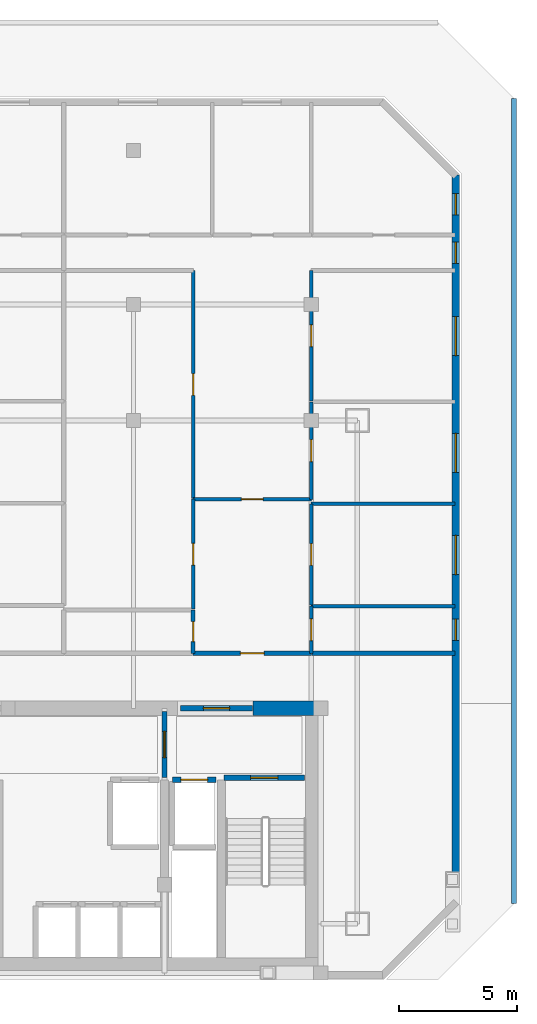
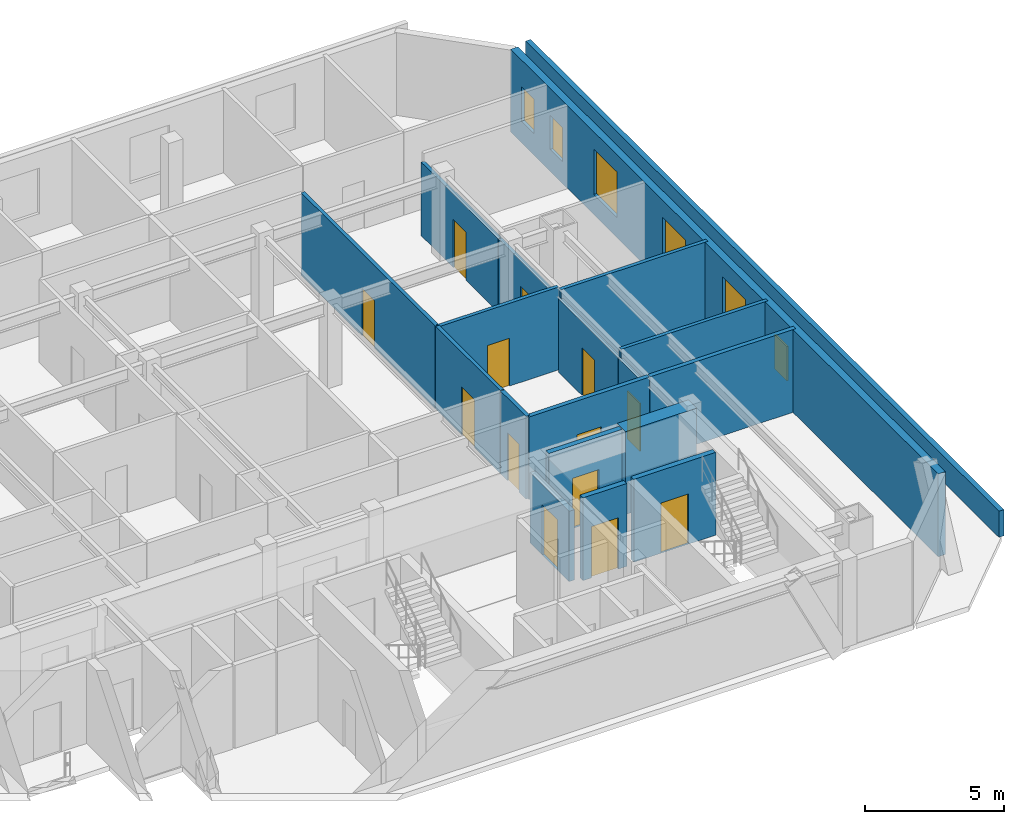
# One storey, part 5 of 7: 19 walls, 13 doors, 6 windows, 19 openings.
"""IFC4 building model written with IfcOpenShell, lengths in metres."""

import ifcopenshell
import ifcopenshell.guid

model = None  # the IFC model being written
_history = None  # IfcOwnerHistory: only IFC2X3 demands one
_inside = {}  # id of a spatial element -> (the spatial element, [elements in it])
_under = {}  # id of a project, library or spatial element -> (it, [spatial elements below it])
_declared = {}  # id of a project -> (the project, [libraries it declares])
_typed = {}  # id of a type object -> (the type object, [elements of that type])
_made_of = {}  # id of a material, layer set ... -> (it, [elements and type objects made of it])


def new_model(schema):
    """Start an empty IFC model of exactly this schema.

    Asked for "IFC4X3", IfcOpenShell would pick the latest addendum, in which some entities
    have other attributes; the version numbers below select the first issue.
    IFC2X3 requires an IfcOwnerHistory on every rooted entity: one is made here for all.
    """
    global model, _history
    if schema == "IFC4X3":
        model = ifcopenshell.file(schema_version=(4, 3, 0, 0))
    else:
        model = ifcopenshell.file(schema=schema)
    _inside.clear()
    _under.clear()
    _declared.clear()
    _typed.clear()
    _made_of.clear()
    _history = None
    if model.schema == "IFC2X3":
        org = make("IfcOrganization", Name="unknown")
        user = make(
            "IfcPersonAndOrganization",
            ThePerson=make("IfcPerson", FamilyName="unknown"),
            TheOrganization=org,
        )
        app = make(
            "IfcApplication",
            ApplicationDeveloper=org,
            Version="unknown",
            ApplicationFullName="unknown",
            ApplicationIdentifier="unknown",
        )
        _history = make(
            "IfcOwnerHistory",
            OwningUser=user,
            OwningApplication=app,
            ChangeAction="ADDED",
            CreationDate=0,
        )
    return model


def make(cls, **values):
    """One entity of the class cls with the attributes given. An attribute that is None is left unset."""
    return model.create_entity(
        cls, **{name: value for name, value in values.items() if value is not None}
    )


def rooted(cls, **values):
    """An entity with a GlobalId (a new one), such as an element, a storey or a relation."""
    return make(cls, GlobalId=ifcopenshell.guid.new(), OwnerHistory=_history, **values)


def si_unit(unit_type, name, prefix=None):
    """IfcSIUnit, for example si_unit("LENGTHUNIT", "METRE", prefix="MILLI")."""
    return make("IfcSIUnit", UnitType=unit_type, Prefix=prefix, Name=name)


def assignment(units):
    """IfcUnitAssignment: the units of a project."""
    return None if units is None else make("IfcUnitAssignment", Units=units)


def point(xyz):
    """IfcCartesianPoint."""
    return None if xyz is None else make("IfcCartesianPoint", Coordinates=xyz)


def direction(xyz):
    """IfcDirection."""
    return None if xyz is None else make("IfcDirection", DirectionRatios=xyz)


def frame(location, z_axis=None, x_axis=None):
    """IfcAxis2Placement3D, a coordinate frame: its origin and axes. An axis left out is left unset."""
    return make(
        "IfcAxis2Placement3D",
        Location=point(location),
        Axis=direction(z_axis),
        RefDirection=direction(x_axis),
    )


def frame_2d(location, x_axis=None):
    """IfcAxis2Placement2D, a coordinate frame in the plane: its origin and x axis."""
    return make(
        "IfcAxis2Placement2D", Location=point(location), RefDirection=direction(x_axis)
    )


def origin():
    """The frame at (0, 0, 0) with its axes left unset."""
    return frame((0.0, 0.0, 0.0))


def place(relative_to, where):
    """IfcLocalPlacement: puts the frame where relative to a parent placement (None: the world)."""
    return make(
        "IfcLocalPlacement", PlacementRelTo=relative_to, RelativePlacement=where
    )


def context(
    kind, dimensions, precision=None, world=None, true_north=None, identifier=None
):
    """IfcGeometricRepresentationContext, for example the 3D "Model" context."""
    return make(
        "IfcGeometricRepresentationContext",
        ContextIdentifier=identifier,
        ContextType=kind,
        CoordinateSpaceDimension=dimensions,
        Precision=precision,
        WorldCoordinateSystem=world,
        TrueNorth=true_north,
    )


def subcontext(parent, identifier, kind, view, scale=None):
    """IfcGeometricRepresentationSubContext, for example "Body" below "Model"."""
    return make(
        "IfcGeometricRepresentationSubContext",
        ContextIdentifier=identifier,
        ContextType=kind,
        ParentContext=parent,
        TargetScale=scale,
        TargetView=view,
    )


def project(units=None, contexts=None):
    """IfcProject with its units and contexts."""
    return rooted(
        "IfcProject",
        Name="project",
        RepresentationContexts=contexts,
        UnitsInContext=assignment(units),
    )


def spatial(cls, under=None, at=None, **own):
    """A site, building, storey or space (cls), placed at a placement, below another one or the project."""
    s = rooted(cls, ObjectPlacement=at, **own)
    if under is not None:
        _under.setdefault(under.id(), (under, []))[1].append(s)
    return s


def profile(cls, at=None, kind="AREA", **sizes):
    """A parametric profile (cls). Its sizes go by their IFC names, for example OverallWidth=200.0."""
    return make(cls, ProfileType=kind, Position=at, **sizes)


def rectangle(**sizes):
    """IfcRectangleProfileDef."""
    return profile("IfcRectangleProfileDef", **sizes)


def extrude(swept, where, along, depth):
    """IfcExtrudedAreaSolid: the profile swept, set in the frame where, extruded along a direction by depth."""
    return make(
        "IfcExtrudedAreaSolid",
        SweptArea=swept,
        Position=where,
        ExtrudedDirection=direction(along),
        Depth=depth,
    )


def shape(context_of_items, identifier, shape_type, items):
    """IfcShapeRepresentation: the items that make up one representation, for example the "Body"."""
    return make(
        "IfcShapeRepresentation",
        ContextOfItems=context_of_items,
        RepresentationIdentifier=identifier,
        RepresentationType=shape_type,
        Items=items,
    )


def material(Name=None, Category=None):
    """IfcMaterial."""
    return make("IfcMaterial", Name=Name, Category=Category)


def layer(
    of_material, thickness, ventilated=None, Name=None, Category=None, Priority=None
):
    """IfcMaterialLayer: one layer of a wall or slab, of a material (None: an air gap)."""
    return make(
        "IfcMaterialLayer",
        Material=of_material,
        LayerThickness=thickness,
        IsVentilated=ventilated,
        Name=Name,
        Category=Category,
        Priority=Priority,
    )


def layer_set(layers, Name=None):
    """IfcMaterialLayerSet."""
    return make("IfcMaterialLayerSet", MaterialLayers=layers, LayerSetName=Name)


def made_of(thing, what):
    """Note that an element or type object is made of a material, layer set ...; save() writes the relation."""
    if what is not None:
        _made_of.setdefault(what.id(), (what, []))[1].append(thing)
    return thing


def type_object(cls, material=None, **own):
    """A type object (cls), such as IfcWallType, which elements share."""
    return made_of(rooted(cls, **own), material)


def element(
    cls,
    number,
    at=None,
    inside=None,
    cuts=None,
    type_object=None,
    material=None,
    context=None,
    identifier="Body",
    shape_type=None,
    held_by="IfcProductDefinitionShape",
    body=None,
    shapes=None,
    **own,
):
    """One element of the class cls, such as IfcWall. Its Tag is "e" and its number.

    at: its placement. inside: the storey or other place that contains it. cuts: it is an
    opening in that element (IfcRelVoidsElement). A single representation is given by context,
    identifier, shape_type and body (its items); several are given by shapes. held_by: the class
    of the entity that holds the representations. save() writes the other relations.
    """
    e = rooted(cls, Tag="e%d" % number, ObjectPlacement=at, **own)
    if body is not None:
        shapes = [shape(context, identifier, shape_type, body)]
    if shapes is not None:
        e.Representation = make(held_by, Representations=shapes)
    if inside is not None:
        _inside.setdefault(inside.id(), (inside, []))[1].append(e)
    if cuts is not None:
        rooted(
            "IfcRelVoidsElement", RelatingBuildingElement=cuts, RelatedOpeningElement=e
        )
    if type_object is not None:
        _typed.setdefault(type_object.id(), (type_object, []))[1].append(e)
    return made_of(e, material)


def fill(opening, filler):
    """IfcRelFillsElement: the door or window that sits in an opening."""
    return rooted(
        "IfcRelFillsElement",
        RelatingOpeningElement=opening,
        RelatedBuildingElement=filler,
    )


def aggregate(whole, parts):
    """IfcRelAggregates: a whole, such as a stair, and the parts it consists of."""
    return rooted("IfcRelAggregates", RelatingObject=whole, RelatedObjects=parts)


def save(model, path):
    """Write the relations noted so far, then the file.

    IfcRelAggregates (storeys below a building ...), IfcRelContainedInSpatialStructure (elements
    in a storey), IfcRelDefinesByType, IfcRelAssociatesMaterial and IfcRelDeclares: one each for
    every whole, place, type object, material and project.
    """
    for whole, parts in _under.values():
        aggregate(whole, parts)
    for where, things in _inside.values():
        rooted(
            "IfcRelContainedInSpatialStructure",
            RelatedElements=things,
            RelatingStructure=where,
        )
    for kind, things in _typed.values():
        rooted("IfcRelDefinesByType", RelatedObjects=things, RelatingType=kind)
    for what, things in _made_of.values():
        rooted("IfcRelAssociatesMaterial", RelatedObjects=things, RelatingMaterial=what)
    for by, libraries in _declared.values():
        rooted("IfcRelDeclares", RelatingContext=by, RelatedDefinitions=libraries)
    model.write(path)


model = new_model("IFC4")

# Units and contexts
model_context = context("Model", 3, precision=1e-05, world=origin(), true_north=direction((0.0, 1.0)))
body_context = subcontext(model_context, "Body", "Model", "MODEL_VIEW")
ifc_project = project(units=[si_unit("LENGTHUNIT", "METRE"), si_unit("AREAUNIT", "SQUARE_METRE"), si_unit("VOLUMEUNIT", "CUBIC_METRE"), si_unit("PLANEANGLEUNIT", "RADIAN"), si_unit("MASSUNIT", "GRAM", prefix="KILO")], contexts=[model_context])

# Site, building, storey
site_placement = place(None, origin())
site = spatial("IfcSite", under=ifc_project, at=site_placement, CompositionType="ELEMENT")
building_placement = place(site_placement, origin())
building = spatial("IfcBuilding", under=site, at=building_placement, Name="Ventersveld Concourse Tower", CompositionType="ELEMENT")
storey_placement = place(building_placement, frame((0.0, 0.0, 219.550048828125)))
storey = spatial("IfcBuildingStorey", under=building, at=storey_placement, Name="L54", CompositionType="ELEMENT", Elevation=219.550048828125)

# Wall
ifc_material_1 = material(Name="Concrete C50/60", Category="concrete")
ifc_layer_1 = layer(ifc_material_1, 0.60009765625)
ifc_layer_set_1 = layer_set([ifc_layer_1], Name="Concrete C50/60")
wall_type_1 = type_object("IfcWallType", Name="WL-CORE-600", PredefinedType="SHEAR", material=ifc_layer_set_1)
wall_1_placement = place(storey_placement, frame((41.300048828125, 11.449951171875, 0.0), z_axis=(0.0, 0.0, 1.0), x_axis=(1.0, 0.0, 0.0)))
element("IfcWall", 1, at=wall_1_placement, inside=storey, type_object=wall_type_1, Name="L54 Rear Core North Shear Wall NE", PredefinedType="SHEAR", context=body_context, shape_type="SweptSolid", body=[
    extrude(rectangle(XDim=2.949951171875, YDim=0.60009765625, at=frame_2d((1.47509765625, 0.0))), origin(), (0.0, 0.0, 1.0), 3.6298828125),
])

# Wall, opening, door
ifc_material_2 = material(Name="Fire-rated autoclaved aerated masonry blockwork", Category="masonry")
ifc_layer_2 = layer(ifc_material_2, 0.179931640625)
ifc_layer_set_2 = layer_set([ifc_layer_2], Name="Fire-rated autoclaved aerated masonry blockwork")
wall_type_2 = type_object("IfcWallType", Name="WL-CORR-180", PredefinedType="PARTITIONING", material=ifc_layer_set_2)
wall_2_placement = place(storey_placement, frame((38.760009765625, 13.77001953125, 0.0), z_axis=(0.0, 0.0, 1.0), x_axis=(1.0, 0.0, 0.0)))
wall_2 = element("IfcWall", 2, at=wall_2_placement, inside=storey, type_object=wall_type_2, Name="L54 Interior Partition SP-L54-COR-SP-L54-54N2-FOY", PredefinedType="PARTITIONING", context=body_context, shape_type="SweptSolid", body=[
    extrude(rectangle(XDim=4.989990234375, YDim=0.179931640625, at=frame_2d((2.4951171875, 0.0))), origin(), (0.0, 0.0, 1.0), 3.6298828125),
])
opening_1_placement = place(wall_2_placement, frame((1.9951171875, 0.0, 0.0)))
opening_1 = element("IfcOpeningElement", 3, at=opening_1_placement, cuts=wall_2, Name="Opening FD3", PredefinedType="OPENING", context=body_context, shape_type="SweptSolid", body=[
    extrude(rectangle(XDim=1.0, YDim=2.14990234375, at=frame_2d((0.5, 1.074951171875))), frame((0.0, 0.10009765625, 0.0), z_axis=(0.0, -1.0, 0.0), x_axis=(1.0, 0.0, 0.0)), (0.0, 0.0, 1.0), 0.199951171875),
])
ifc_material_3 = material(Name="Solid-core hardwood veneer timber", Category="wood")
door_type_1 = type_object("IfcDoorType", Name="DR-FLAT-100", OperationType="NOTDEFINED", PredefinedType="DOOR", material=ifc_material_3)
door_1_placement = place(opening_1_placement, origin())
door_1 = element("IfcDoor", 4, at=door_1_placement, inside=storey, type_object=door_type_1, Name="L54 Interior Door SP-L54-COR to SP-L54-54N2-FOY (FD-L54-2625)", OperationType="SINGLE_SWING_LEFT", OverallHeight=2.14990234375, OverallWidth=1.0, PredefinedType="DOOR", context=body_context, shape_type="SweptSolid", body=[
    extrude(rectangle(XDim=1.0, YDim=2.14990234375, at=frame_2d((0.5, 1.074951171875))), frame((0.0, 0.02490234375, 0.0), z_axis=(0.0, -1.0, 0.0), x_axis=(1.0, 0.0, 0.0)), (0.0, 0.0, 1.0), 0.050048828125),
])
fill(opening_1, door_1)

# Wall
wall_3_placement = place(storey_placement, frame((43.780029296875, 13.77001953125, 0.0), z_axis=(0.0, 0.0, 1.0), x_axis=(1.0, 0.0, 0.0)))
element("IfcWall", 5, at=wall_3_placement, inside=storey, type_object=wall_type_2, Name="L54 Interior Partition SP-L54-COR-SP-L54-54N2-KIT", PredefinedType="PARTITIONING", context=body_context, shape_type="SweptSolid", body=[
    extrude(rectangle(XDim=6.04736328125, YDim=0.179931640625, at=frame_2d((3.023681640625, 0.0))), origin(), (0.0, 0.0, 1.0), 3.6298828125),
])

# Wall, opening, door
ifc_layer_3 = layer(ifc_material_2, 0.219970703125)
ifc_layer_set_3 = layer_set([ifc_layer_3], Name="Fire-rated autoclaved aerated masonry blockwork")
wall_type_3 = type_object("IfcWallType", Name="WL-HOIST-220", PredefinedType="SOLIDWALL", material=ifc_layer_set_3)
wall_4_placement = place(storey_placement, frame((37.89990234375, 8.429931640625, 0.0), z_axis=(0.0, 0.0, 1.0), x_axis=(1.0, 0.0, 0.0)))
wall_4 = element("IfcWall", 6, at=wall_4_placement, inside=storey, type_object=wall_type_3, Name="L54 Lift Hoistway Front Wall FFL-02", PredefinedType="SOLIDWALL", context=body_context, shape_type="SweptSolid", body=[
    extrude(rectangle(XDim=1.820068359375, YDim=0.219970703125, at=frame_2d((0.91015625, 0.0))), origin(), (0.0, 0.0, 1.0), 3.6298828125),
])
opening_2_placement = place(wall_4_placement, frame((0.35009765625, 0.0, 0.0)))
opening_2 = element("IfcOpeningElement", 7, at=opening_2_placement, cuts=wall_4, Name="Opening LD1", PredefinedType="OPENING", context=body_context, shape_type="SweptSolid", body=[
    extrude(rectangle(XDim=1.1201171875, YDim=2.25, at=frame_2d((0.56005859375, 1.125))), frame((0.0, 0.1201171875, 0.0), z_axis=(0.0, -1.0, 0.0), x_axis=(1.0, 0.0, 0.0)), (0.0, 0.0, 1.0), 0.239990234375),
])
ifc_material_4 = material(Name="Brushed stainless steel 316", Category="steel")
door_type_2 = type_object("IfcDoorType", Name="LD-FF-112", OperationType="SLIDING_TO_LEFT", PredefinedType="DOOR", material=ifc_material_4)
door_2_placement = place(opening_2_placement, origin())
door_2 = element("IfcDoor", 8, at=door_2_placement, inside=storey, type_object=door_type_2, Name="L54 Lift landing door FFL-02 (LD-L54-FFL-02)", OperationType="SLIDING_TO_RIGHT", OverallHeight=2.25, OverallWidth=1.1201171875, PredefinedType="DOOR", context=body_context, shape_type="SweptSolid", body=[
    extrude(rectangle(XDim=1.1201171875, YDim=2.25, at=frame_2d((0.56005859375, 1.125))), frame((0.0, 0.02490234375, 0.0), z_axis=(0.0, -1.0, 0.0), x_axis=(1.0, 0.0, 0.0)), (0.0, 0.0, 1.0), 0.050048828125),
])
fill(opening_2, door_2)

wall_5_placement = place(storey_placement, frame((40.06005859375, 8.52001953125, 0.0), z_axis=(0.0, 0.0, 1.0), x_axis=(1.0, 0.0, 0.0)))
wall_5 = element("IfcWall", 9, at=wall_5_placement, inside=storey, type_object=wall_type_3, Name="L54 Escape Stair ST02 Fire Wall", PredefinedType="SOLIDWALL", context=body_context, shape_type="SweptSolid", body=[
    extrude(rectangle(XDim=3.39990234375, YDim=0.219970703125, at=frame_2d((1.699951171875, 0.0))), origin(), (0.0, 0.0, 1.0), 3.6298828125),
])
opening_3_placement = place(wall_5_placement, frame((1.125, 0.0, 0.0)))
opening_3 = element("IfcOpeningElement", 10, at=opening_3_placement, cuts=wall_5, Name="Opening FD1", PredefinedType="OPENING", context=body_context, shape_type="SweptSolid", body=[
    extrude(rectangle(XDim=1.14990234375, YDim=2.199951171875, at=frame_2d((0.574951171875, 1.10009765625))), frame((0.0, 0.1201171875, 0.0), z_axis=(0.0, -1.0, 0.0), x_axis=(1.0, 0.0, 0.0)), (0.0, 0.0, 1.0), 0.239990234375),
])
ifc_material_5 = material(Name="Galvanised painted steel", Category="steel")
door_type_3 = type_object("IfcDoorType", Name="DR-STAIR-115", OperationType="NOTDEFINED", PredefinedType="DOOR", material=ifc_material_5)
door_3_placement = place(opening_3_placement, origin())
door_3 = element("IfcDoor", 11, at=door_3_placement, inside=storey, type_object=door_type_3, Name="L54 Escape Stair Door ST02 (SD-L54-2615)", OperationType="SINGLE_SWING_RIGHT", OverallHeight=2.199951171875, OverallWidth=1.14990234375, PredefinedType="DOOR", context=body_context, shape_type="SweptSolid", body=[
    extrude(rectangle(XDim=1.14990234375, YDim=2.199951171875, at=frame_2d((0.574951171875, 1.10009765625))), frame((0.0, 0.02490234375, 0.0), z_axis=(0.0, -1.0, 0.0), x_axis=(1.0, 0.0, 0.0)), (0.0, 0.0, 1.0), 0.050048828125),
])
fill(opening_3, door_3)

wall_6_placement = place(storey_placement, frame((37.550048828125, 8.52001953125, 0.0), z_axis=(0.0, 0.0, 1.0), x_axis=(0.0, 1.0, 0.0)))
wall_6 = element("IfcWall", 12, at=wall_6_placement, inside=storey, type_object=wall_type_3, Name="L54 Firefighting Lobby Smoke-Stop Wall FFLE-SEP", PredefinedType="SOLIDWALL", context=body_context, shape_type="SweptSolid", body=[
    extrude(rectangle(XDim=2.800048828125, YDim=0.219970703125, at=frame_2d((1.39990234375, 0.0))), origin(), (0.0, 0.0, 1.0), 3.08544921875),
])
opening_4_placement = place(wall_6_placement, frame((0.85009765625, 0.0, 0.0)))
opening_4 = element("IfcOpeningElement", 13, at=opening_4_placement, cuts=wall_6, Name="Opening FD2", PredefinedType="OPENING", context=body_context, shape_type="SweptSolid", body=[
    extrude(rectangle(XDim=1.10009765625, YDim=2.199951171875, at=frame_2d((0.550048828125, 1.10009765625))), frame((0.0, 0.1201171875, 0.0), z_axis=(0.0, -1.0, 0.0), x_axis=(1.0, 0.0, 0.0)), (0.0, 0.0, 1.0), 0.239990234375),
])
door_type_4 = type_object("IfcDoorType", Name="DR-FFL-110", OperationType="NOTDEFINED", PredefinedType="DOOR", material=ifc_material_5)
door_4_placement = place(opening_4_placement, origin())
door_4 = element("IfcDoor", 14, at=door_4_placement, inside=storey, type_object=door_type_4, Name="L54 Firefighting Lobby Door FFLE-SEP (FD-L54-2618)", OperationType="SINGLE_SWING_RIGHT", OverallHeight=2.199951171875, OverallWidth=1.10009765625, PredefinedType="DOOR", context=body_context, shape_type="SweptSolid", body=[
    extrude(rectangle(XDim=1.10009765625, YDim=2.199951171875, at=frame_2d((0.550048828125, 1.10009765625))), frame((0.0, 0.02490234375, 0.0), z_axis=(0.0, -1.0, 0.0), x_axis=(1.0, 0.0, 0.0)), (0.0, 0.0, 1.0), 0.050048828125),
])
fill(opening_4, door_4)

wall_7_placement = place(storey_placement, frame((38.22998046875, 11.449951171875, 0.0), z_axis=(0.0, 0.0, 1.0), x_axis=(1.0, 0.0, 0.0)))
wall_7 = element("IfcWall", 15, at=wall_7_placement, inside=storey, type_object=wall_type_3, Name="L54 Core North Fire Portal FFLE-OUT", PredefinedType="SOLIDWALL", context=body_context, shape_type="SweptSolid", body=[
    extrude(rectangle(XDim=3.0400390625, YDim=0.219970703125, at=frame_2d((1.52001953125, 0.0))), origin(), (0.0, 0.0, 1.0), 3.6298828125),
])
opening_5_placement = place(wall_7_placement, frame((0.969970703125, 0.0, 0.0)))
opening_5 = element("IfcOpeningElement", 16, at=opening_5_placement, cuts=wall_7, Name="Opening FD2", PredefinedType="OPENING", context=body_context, shape_type="SweptSolid", body=[
    extrude(rectangle(XDim=1.10009765625, YDim=2.199951171875, at=frame_2d((0.550048828125, 1.10009765625))), frame((0.0, 0.1201171875, 0.0), z_axis=(0.0, -1.0, 0.0), x_axis=(1.0, 0.0, 0.0)), (0.0, 0.0, 1.0), 0.239990234375),
])
door_5_placement = place(opening_5_placement, origin())
door_5 = element("IfcDoor", 17, at=door_5_placement, inside=storey, type_object=door_type_4, Name="L54 Core Lobby Fire Door FFLE-OUT (FD-L54-2621)", OperationType="SINGLE_SWING_LEFT", OverallHeight=2.199951171875, OverallWidth=1.10009765625, PredefinedType="DOOR", context=body_context, shape_type="SweptSolid", body=[
    extrude(rectangle(XDim=1.10009765625, YDim=2.199951171875, at=frame_2d((0.550048828125, 1.10009765625))), frame((0.0, 0.02490234375, 0.0), z_axis=(0.0, -1.0, 0.0), x_axis=(1.0, 0.0, 0.0)), (0.0, 0.0, 1.0), 0.050048828125),
])
fill(opening_5, door_5)

ifc_material_6 = material(Name="Autoclaved aerated masonry blockwork", Category="masonry")
ifc_layer_4 = layer(ifc_material_6, 0.14990234375)
ifc_layer_set_4 = layer_set([ifc_layer_4], Name="Autoclaved aerated masonry blockwork")
wall_type_4 = type_object("IfcWallType", Name="WL-INT-150", PredefinedType="PARTITIONING", material=ifc_layer_set_4)
wall_8_placement = place(storey_placement, frame((38.760009765625, 20.26904296875, 0.0), z_axis=(0.0, 0.0, 1.0), x_axis=(1.0, 0.0, 0.0)))
wall_8 = element("IfcWall", 18, at=wall_8_placement, inside=storey, type_object=wall_type_4, Name="L54 Interior Partition SP-L54-54N2-FOY-SP-L54-54N2-LIV", PredefinedType="PARTITIONING", context=body_context, shape_type="SweptSolid", body=[
    extrude(rectangle(XDim=4.989990234375, YDim=0.14990234375, at=frame_2d((2.4951171875, 0.0))), origin(), (0.0, 0.0, 1.0), 3.6298828125),
])
opening_6_placement = place(wall_8_placement, frame((2.034912109375, 0.0, 0.0)))
opening_6 = element("IfcOpeningElement", 19, at=opening_6_placement, cuts=wall_8, Name="Opening ID1", PredefinedType="OPENING", context=body_context, shape_type="SweptSolid", body=[
    extrude(rectangle(XDim=0.919921875, YDim=2.10009765625, at=frame_2d((0.4599609375, 1.050048828125))), frame((0.0, 0.0849609375, 0.0), z_axis=(0.0, -1.0, 0.0), x_axis=(1.0, 0.0, 0.0)), (0.0, 0.0, 1.0), 0.169921875),
])
door_type_5 = type_object("IfcDoorType", Name="DR-ROOM-092", OperationType="NOTDEFINED", PredefinedType="DOOR", material=ifc_material_3)
door_6_placement = place(opening_6_placement, origin())
door_6 = element("IfcDoor", 20, at=door_6_placement, inside=storey, type_object=door_type_5, Name="L54 Interior Door SP-L54-54N2-FOY to SP-L54-54N2-LIV (D-L54-2643)", OperationType="SINGLE_SWING_LEFT", OverallHeight=2.10009765625, OverallWidth=0.919921875, PredefinedType="DOOR", context=body_context, shape_type="SweptSolid", body=[
    extrude(rectangle(XDim=0.919921875, YDim=2.10009765625, at=frame_2d((0.4599609375, 1.050048828125))), frame((0.0, 0.02490234375, 0.0), z_axis=(0.0, -1.0, 0.0), x_axis=(1.0, 0.0, 0.0)), (0.0, 0.0, 1.0), 0.050048828125),
])
fill(opening_6, door_6)

wall_9_placement = place(storey_placement, frame((38.764892578125, 15.635009765625, 0.0), z_axis=(0.0, 0.0, 1.0), x_axis=(0.0, 1.0, 0.0)))
wall_9 = element("IfcWall", 21, at=wall_9_placement, inside=storey, type_object=wall_type_4, Name="L54 Interior Partition SP-L54-54N2-FOY-SP-L54-54N2-DENL", PredefinedType="PARTITIONING", context=body_context, shape_type="SweptSolid", body=[
    extrude(rectangle(XDim=4.63916015625, YDim=0.14990234375, at=frame_2d((2.319580078125, 0.0))), origin(), (0.0, 0.0, 1.0), 3.6298828125),
])
opening_7_placement = place(wall_9_placement, frame((1.859619140625, 0.0, 0.0)))
opening_7 = element("IfcOpeningElement", 22, at=opening_7_placement, cuts=wall_9, Name="Opening ID1", PredefinedType="OPENING", context=body_context, shape_type="SweptSolid", body=[
    extrude(rectangle(XDim=0.919921875, YDim=2.10009765625, at=frame_2d((0.4599609375, 1.050048828125))), frame((0.0, 0.0849609375, 0.0), z_axis=(0.0, -1.0, 0.0), x_axis=(1.0, 0.0, 0.0)), (0.0, 0.0, 1.0), 0.169921875),
])
door_7_placement = place(opening_7_placement, origin())
door_7 = element("IfcDoor", 23, at=door_7_placement, inside=storey, type_object=door_type_5, Name="L54 Interior Door SP-L54-54N2-FOY to SP-L54-54N2-DENL (D-L54-2645)", OperationType="SINGLE_SWING_LEFT", OverallHeight=2.10009765625, OverallWidth=0.919921875, PredefinedType="DOOR", context=body_context, shape_type="SweptSolid", body=[
    extrude(rectangle(XDim=0.919921875, YDim=2.10009765625, at=frame_2d((0.4599609375, 1.050048828125))), frame((0.0, 0.02490234375, 0.0), z_axis=(0.0, -1.0, 0.0), x_axis=(1.0, 0.0, 0.0)), (0.0, 0.0, 1.0), 0.050048828125),
])
fill(opening_7, door_7)

wall_10_placement = place(storey_placement, frame((43.7451171875, 13.764892578125, 0.0), z_axis=(0.0, 0.0, 1.0), x_axis=(0.0, 1.0, 0.0)))
wall_10 = element("IfcWall", 24, at=wall_10_placement, inside=storey, type_object=wall_type_4, Name="L54 Interior Partition SP-L54-54N2-FOY-SP-L54-54N2-KIT", PredefinedType="PARTITIONING", context=body_context, shape_type="SweptSolid", body=[
    extrude(rectangle(XDim=2.006591796875, YDim=0.14990234375, at=frame_2d((1.00341796875, 0.0))), origin(), (0.0, 0.0, 1.0), 3.2236328125),
])
opening_8_placement = place(wall_10_placement, frame((0.543212890625, 0.0, 0.0)))
opening_8 = element("IfcOpeningElement", 25, at=opening_8_placement, cuts=wall_10, Name="Opening ID1", PredefinedType="OPENING", context=body_context, shape_type="SweptSolid", body=[
    extrude(rectangle(XDim=0.919921875, YDim=2.10009765625, at=frame_2d((0.4599609375, 1.050048828125))), frame((0.0, 0.0849609375, 0.0), z_axis=(0.0, -1.0, 0.0), x_axis=(1.0, 0.0, 0.0)), (0.0, 0.0, 1.0), 0.169921875),
])
door_8_placement = place(opening_8_placement, origin())
door_8 = element("IfcDoor", 26, at=door_8_placement, inside=storey, type_object=door_type_5, Name="L54 Interior Door SP-L54-54N2-FOY to SP-L54-54N2-KIT (D-L54-2646)", OperationType="SINGLE_SWING_RIGHT", OverallHeight=2.10009765625, OverallWidth=0.919921875, PredefinedType="DOOR", context=body_context, shape_type="SweptSolid", body=[
    extrude(rectangle(XDim=0.919921875, YDim=2.10009765625, at=frame_2d((0.4599609375, 1.050048828125))), frame((0.0, 0.02490234375, 0.0), z_axis=(0.0, -1.0, 0.0), x_axis=(1.0, 0.0, 0.0)), (0.0, 0.0, 1.0), 0.050048828125),
])
fill(opening_8, door_8)

wall_11_placement = place(storey_placement, frame((43.7451171875, 15.801513671875, 0.0), z_axis=(0.0, 0.0, 1.0), x_axis=(0.0, 1.0, 0.0)))
wall_11 = element("IfcWall", 27, at=wall_11_placement, inside=storey, type_object=wall_type_4, Name="L54 Interior Partition SP-L54-54N2-FOY-SP-L54-54N2-DENR", PredefinedType="PARTITIONING", context=body_context, shape_type="SweptSolid", body=[
    extrude(rectangle(XDim=4.279052734375, YDim=0.14990234375, at=frame_2d((2.1396484375, 0.0))), origin(), (0.0, 0.0, 1.0), 3.2236328125),
])
opening_9_placement = place(wall_11_placement, frame((1.679443359375, 0.0, 0.0)))
opening_9 = element("IfcOpeningElement", 28, at=opening_9_placement, cuts=wall_11, Name="Opening ID1", PredefinedType="OPENING", context=body_context, shape_type="SweptSolid", body=[
    extrude(rectangle(XDim=0.919921875, YDim=2.10009765625, at=frame_2d((0.4599609375, 1.050048828125))), frame((0.0, 0.0849609375, 0.0), z_axis=(0.0, -1.0, 0.0), x_axis=(1.0, 0.0, 0.0)), (0.0, 0.0, 1.0), 0.169921875),
])
door_9_placement = place(opening_9_placement, origin())
door_9 = element("IfcDoor", 29, at=door_9_placement, inside=storey, type_object=door_type_5, Name="L54 Interior Door SP-L54-54N2-FOY to SP-L54-54N2-DENR (D-L54-2647)", OperationType="SINGLE_SWING_LEFT", OverallHeight=2.10009765625, OverallWidth=0.919921875, PredefinedType="DOOR", context=body_context, shape_type="SweptSolid", body=[
    extrude(rectangle(XDim=0.919921875, YDim=2.10009765625, at=frame_2d((0.4599609375, 1.050048828125))), frame((0.0, 0.02490234375, 0.0), z_axis=(0.0, -1.0, 0.0), x_axis=(1.0, 0.0, 0.0)), (0.0, 0.0, 1.0), 0.050048828125),
])
fill(opening_9, door_9)

wall_12_placement = place(storey_placement, frame((38.764892578125, 20.30419921875, 0.0), z_axis=(0.0, 0.0, 1.0), x_axis=(0.0, 1.0, 0.0)))
wall_12 = element("IfcWall", 30, at=wall_12_placement, inside=storey, type_object=wall_type_4, Name="L54 Interior Partition SP-L54-54N2-LIV-SP-L54-54N2-DENL", PredefinedType="PARTITIONING", context=body_context, shape_type="SweptSolid", body=[
    extrude(rectangle(XDim=9.630859375, YDim=0.14990234375, at=frame_2d((4.8154296875, 0.0))), origin(), (0.0, 0.0, 1.0), 3.6298828125),
])
opening_10_placement = place(wall_12_placement, frame((4.35546875, 0.0, 0.0)))
opening_10 = element("IfcOpeningElement", 31, at=opening_10_placement, cuts=wall_12, Name="Opening ID1", PredefinedType="OPENING", context=body_context, shape_type="SweptSolid", body=[
    extrude(rectangle(XDim=0.919921875, YDim=2.10009765625, at=frame_2d((0.4599609375, 1.050048828125))), frame((0.0, 0.0849609375, 0.0), z_axis=(0.0, -1.0, 0.0), x_axis=(1.0, 0.0, 0.0)), (0.0, 0.0, 1.0), 0.169921875),
])
door_10_placement = place(opening_10_placement, origin())
door_10 = element("IfcDoor", 32, at=door_10_placement, inside=storey, type_object=door_type_5, Name="L54 Interior Door SP-L54-54N2-LIV to SP-L54-54N2-DENL (D-L54-2648)", OperationType="SINGLE_SWING_RIGHT", OverallHeight=2.10009765625, OverallWidth=0.919921875, PredefinedType="DOOR", context=body_context, shape_type="SweptSolid", body=[
    extrude(rectangle(XDim=0.919921875, YDim=2.10009765625, at=frame_2d((0.4599609375, 1.050048828125))), frame((0.0, 0.02490234375, 0.0), z_axis=(0.0, -1.0, 0.0), x_axis=(1.0, 0.0, 0.0)), (0.0, 0.0, 1.0), 0.050048828125),
])
fill(opening_10, door_10)

wall_13_placement = place(storey_placement, frame((43.7451171875, 20.26416015625, 0.0), z_axis=(0.0, 0.0, 1.0), x_axis=(0.0, 1.0, 0.0)))
wall_13 = element("IfcWall", 33, at=wall_13_placement, inside=storey, type_object=wall_type_4, Name="L54 Interior Partition SP-L54-54N2-LIV-SP-L54-54N2-DENS", PredefinedType="PARTITIONING", context=body_context, shape_type="SweptSolid", body=[
    extrude(rectangle(XDim=4.125244140625, YDim=0.14990234375, at=frame_2d((2.0625, 0.0))), origin(), (0.0, 0.0, 1.0), 3.2236328125),
])
opening_11_placement = place(wall_13_placement, frame((1.602783203125, 0.0, 0.0)))
opening_11 = element("IfcOpeningElement", 34, at=opening_11_placement, cuts=wall_13, Name="Opening ID1", PredefinedType="OPENING", context=body_context, shape_type="SweptSolid", body=[
    extrude(rectangle(XDim=0.919921875, YDim=2.10009765625, at=frame_2d((0.4599609375, 1.050048828125))), frame((0.0, 0.0849609375, 0.0), z_axis=(0.0, -1.0, 0.0), x_axis=(1.0, 0.0, 0.0)), (0.0, 0.0, 1.0), 0.169921875),
])
door_11_placement = place(opening_11_placement, origin())
door_11 = element("IfcDoor", 35, at=door_11_placement, inside=storey, type_object=door_type_5, Name="L54 Interior Door SP-L54-54N2-LIV to SP-L54-54N2-DENS (D-L54-2649)", OperationType="SINGLE_SWING_LEFT", OverallHeight=2.10009765625, OverallWidth=0.919921875, PredefinedType="DOOR", context=body_context, shape_type="SweptSolid", body=[
    extrude(rectangle(XDim=0.919921875, YDim=2.10009765625, at=frame_2d((0.4599609375, 1.050048828125))), frame((0.0, 0.02490234375, 0.0), z_axis=(0.0, -1.0, 0.0), x_axis=(1.0, 0.0, 0.0)), (0.0, 0.0, 1.0), 0.050048828125),
])
fill(opening_11, door_11)

wall_14_placement = place(storey_placement, frame((43.7451171875, 24.41943359375, 0.0), z_axis=(0.0, 0.0, 1.0), x_axis=(0.0, 1.0, 0.0)))
wall_14 = element("IfcWall", 36, at=wall_14_placement, inside=storey, type_object=wall_type_4, Name="L54 Interior Partition SP-L54-54N2-LIV-SP-L54-54N2-DENS2", PredefinedType="PARTITIONING", context=body_context, shape_type="SweptSolid", body=[
    extrude(rectangle(XDim=5.515625, YDim=0.14990234375, at=frame_2d((2.7578125, 0.0))), origin(), (0.0, 0.0, 1.0), 3.2236328125),
])
opening_12_placement = place(wall_14_placement, frame((2.297607421875, 0.0, 0.0)))
opening_12 = element("IfcOpeningElement", 37, at=opening_12_placement, cuts=wall_14, Name="Opening ID1", PredefinedType="OPENING", context=body_context, shape_type="SweptSolid", body=[
    extrude(rectangle(XDim=0.919921875, YDim=2.10009765625, at=frame_2d((0.4599609375, 1.050048828125))), frame((0.0, 0.0849609375, 0.0), z_axis=(0.0, -1.0, 0.0), x_axis=(1.0, 0.0, 0.0)), (0.0, 0.0, 1.0), 0.169921875),
])
door_12_placement = place(opening_12_placement, origin())
door_12 = element("IfcDoor", 38, at=door_12_placement, inside=storey, type_object=door_type_5, Name="L54 Interior Door SP-L54-54N2-LIV to SP-L54-54N2-DENS2 (D-L54-2650)", OperationType="SINGLE_SWING_RIGHT", OverallHeight=2.10009765625, OverallWidth=0.919921875, PredefinedType="DOOR", context=body_context, shape_type="SweptSolid", body=[
    extrude(rectangle(XDim=0.919921875, YDim=2.10009765625, at=frame_2d((0.4599609375, 1.050048828125))), frame((0.0, 0.02490234375, 0.0), z_axis=(0.0, -1.0, 0.0), x_axis=(1.0, 0.0, 0.0)), (0.0, 0.0, 1.0), 0.050048828125),
])
fill(opening_12, door_12)

# Walls
for number, where, z_axis, x_axis, name in (
    (39, (43.739990234375, 15.7666015625, 0.0), (0.0, 0.0, 1.0), (1.0, 0.0, 0.0), "L54 Interior Partition SP-L54-54N2-KIT-SP-L54-54N2-DENR"),
    (40, (43.739990234375, 20.075439453125, 0.0), (0.0, 0.0, 1.0), (1.0, 0.0, 0.0), "L54 Interior Partition SP-L54-54N2-DENR-SP-L54-54N2-DENS"),
):
    element("IfcWall", number, at=place(storey_placement, frame(where, z_axis=z_axis, x_axis=x_axis)), inside=storey, type_object=wall_type_4, Name=name, PredefinedType="PARTITIONING", context=body_context, shape_type="SweptSolid", body=[
        extrude(rectangle(XDim=6.08740234375, YDim=0.14990234375, at=frame_2d((3.043701171875, 0.0))), origin(), (0.0, 0.0, 1.0), 3.6298828125),
    ])
ifc_material_7 = material(Name="Precast concrete C45/55", Category="concrete")
ifc_layer_5 = layer(ifc_material_7, 0.2099609375)
ifc_layer_set_5 = layer_set([ifc_layer_5], Name="Precast concrete C45/55")
wall_type_5 = type_object("IfcWallType", Name="WL-PARA-210", PredefinedType="PARAPET", material=ifc_layer_set_5)
wall_15_placement = place(storey_placement, frame((52.300048828125, 3.199951171875, 0.0), z_axis=(0.0, 0.0, 1.0), x_axis=(0.0, 1.0, 0.0)))
element("IfcWall", 41, at=wall_15_placement, inside=storey, type_object=wall_type_5, Name="L54 Setback Roof Parapet Wall 2", PredefinedType="PARAPET", context=body_context, shape_type="SweptSolid", body=[
    extrude(rectangle(XDim=34.0, YDim=0.2099609375, at=frame_2d((17.0, 0.0))), origin(), (0.0, 0.0, 1.0), 1.14990234375),
])

# Wall, openings, windows
ifc_layer_6 = layer(ifc_material_7, 0.300048828125)
ifc_layer_set_6 = layer_set([ifc_layer_6], Name="Precast concrete C45/55")
wall_type_6 = type_object("IfcWallType", Name="WL-PREC-300", PredefinedType="SOLIDWALL", material=ifc_layer_set_6)
wall_16_placement = place(storey_placement, frame((49.85009765625, 3.239990234375, 0.0), z_axis=(0.0, 0.0, 1.0), x_axis=(0.0, 1.0, 0.0)))
wall_16 = element("IfcWall", 42, at=wall_16_placement, inside=storey, type_object=wall_type_6, Name="L54 Highveld Precast Facade Wall E03", PredefinedType="SOLIDWALL", context=body_context, shape_type="SweptSolid", body=[
    extrude(rectangle(XDim=30.719970703125, YDim=0.300048828125, at=frame_2d((15.35986328125, 0.0))), origin(), (0.0, 0.0, 1.0), 3.6298828125),
])
opening_13_placement = place(wall_16_placement, frame((26.989990234375, 0.0, 0.949951171875)))
opening_13 = element("IfcOpeningElement", 43, at=opening_13_placement, cuts=wall_16, Name="Opening W4", PredefinedType="OPENING", context=body_context, shape_type="SweptSolid", body=[
    extrude(rectangle(XDim=0.89990234375, YDim=1.5, at=frame_2d((0.449951171875, 0.75))), frame((0.0, 0.16015625, 0.0), z_axis=(0.0, -1.0, 0.0), x_axis=(1.0, 0.0, 0.0)), (0.0, 0.0, 1.0), 0.320068359375),
])
opening_14_placement = place(wall_16_placement, frame((11.078369140625, 0.0, 0.949951171875)))
opening_14 = element("IfcOpeningElement", 44, at=opening_14_placement, cuts=wall_16, Name="Opening W4", PredefinedType="OPENING", context=body_context, shape_type="SweptSolid", body=[
    extrude(rectangle(XDim=0.89990234375, YDim=1.5, at=frame_2d((0.449951171875, 0.75))), frame((0.0, 0.16015625, 0.0), z_axis=(0.0, -1.0, 0.0), x_axis=(1.0, 0.0, 0.0)), (0.0, 0.0, 1.0), 0.320068359375),
])
opening_15_placement = place(wall_16_placement, frame((13.85595703125, 0.0, 0.8798828125)))
opening_15 = element("IfcOpeningElement", 45, at=opening_15_placement, cuts=wall_16, Name="Opening W6", PredefinedType="OPENING", context=body_context, shape_type="SweptSolid", body=[
    extrude(rectangle(XDim=1.64990234375, YDim=2.0, at=frame_2d((0.824951171875, 1.0))), frame((0.0, 0.16015625, 0.0), z_axis=(0.0, -1.0, 0.0), x_axis=(1.0, 0.0, 0.0)), (0.0, 0.0, 1.0), 0.320068359375),
])
opening_16_placement = place(wall_16_placement, frame((18.1650390625, 0.0, 0.8798828125)))
opening_16 = element("IfcOpeningElement", 46, at=opening_16_placement, cuts=wall_16, Name="Opening W6", PredefinedType="OPENING", context=body_context, shape_type="SweptSolid", body=[
    extrude(rectangle(XDim=1.64990234375, YDim=2.0, at=frame_2d((0.824951171875, 1.0))), frame((0.0, 0.16015625, 0.0), z_axis=(0.0, -1.0, 0.0), x_axis=(1.0, 0.0, 0.0)), (0.0, 0.0, 1.0), 0.320068359375),
])
opening_17_placement = place(wall_16_placement, frame((23.09228515625, 0.0, 0.8798828125)))
opening_17 = element("IfcOpeningElement", 47, at=opening_17_placement, cuts=wall_16, Name="Opening W6", PredefinedType="OPENING", context=body_context, shape_type="SweptSolid", body=[
    extrude(rectangle(XDim=1.64990234375, YDim=2.0, at=frame_2d((0.824951171875, 1.0))), frame((0.0, 0.16015625, 0.0), z_axis=(0.0, -1.0, 0.0), x_axis=(1.0, 0.0, 0.0)), (0.0, 0.0, 1.0), 0.320068359375),
])
opening_18_placement = place(wall_16_placement, frame((29.0400390625, 0.0, 0.949951171875)))
opening_18 = element("IfcOpeningElement", 48, at=opening_18_placement, cuts=wall_16, Name="Opening W4", PredefinedType="OPENING", context=body_context, shape_type="SweptSolid", body=[
    extrude(rectangle(XDim=0.89990234375, YDim=1.5, at=frame_2d((0.449951171875, 0.75))), frame((0.0, 0.16015625, 0.0), z_axis=(0.0, -1.0, 0.0), x_axis=(1.0, 0.0, 0.0)), (0.0, 0.0, 1.0), 0.320068359375),
])
ifc_material_8 = material(Name="Tempered acoustic Low-E IGU", Category="glass")
window_type_1 = type_object("IfcWindowType", Name="WIN-090x150", PartitioningType="SINGLE_PANEL", PredefinedType="WINDOW", material=ifc_material_8)
window_1_placement = place(opening_13_placement, origin())
window_1 = element("IfcWindow", 49, at=window_1_placement, inside=storey, type_object=window_type_1, Name="L54 Punched Low-E Window W-0773", OverallHeight=1.5, OverallWidth=0.89990234375, PartitioningType="SINGLE_PANEL", PredefinedType="WINDOW", context=body_context, shape_type="SweptSolid", body=[
    extrude(rectangle(XDim=0.89990234375, YDim=1.5, at=frame_2d((0.449951171875, 0.75))), frame((0.0, 0.030029296875, 0.0), z_axis=(0.0, -1.0, 0.0), x_axis=(1.0, 0.0, 0.0)), (0.0, 0.0, 1.0), 0.06005859375),
])
fill(opening_13, window_1)
window_2_placement = place(opening_14_placement, origin())
window_2 = element("IfcWindow", 50, at=window_2_placement, inside=storey, type_object=window_type_1, Name="L54 Punched Low-E Window W-0774", OverallHeight=1.5, OverallWidth=0.89990234375, PartitioningType="SINGLE_PANEL", PredefinedType="WINDOW", context=body_context, shape_type="SweptSolid", body=[
    extrude(rectangle(XDim=0.89990234375, YDim=1.5, at=frame_2d((0.449951171875, 0.75))), frame((0.0, 0.030029296875, 0.0), z_axis=(0.0, -1.0, 0.0), x_axis=(1.0, 0.0, 0.0)), (0.0, 0.0, 1.0), 0.06005859375),
])
fill(opening_14, window_2)
window_3_placement = place(opening_18_placement, origin())
window_3 = element("IfcWindow", 51, at=window_3_placement, inside=storey, type_object=window_type_1, Name="L54 Punched Low-E Window W-0780", OverallHeight=1.5, OverallWidth=0.89990234375, PartitioningType="SINGLE_PANEL", PredefinedType="WINDOW", context=body_context, shape_type="SweptSolid", body=[
    extrude(rectangle(XDim=0.89990234375, YDim=1.5, at=frame_2d((0.449951171875, 0.75))), frame((0.0, 0.030029296875, 0.0), z_axis=(0.0, -1.0, 0.0), x_axis=(1.0, 0.0, 0.0)), (0.0, 0.0, 1.0), 0.06005859375),
])
fill(opening_18, window_3)
window_type_2 = type_object("IfcWindowType", Name="WIN-165x200", PartitioningType="SINGLE_PANEL", PredefinedType="WINDOW", material=ifc_material_8)
window_4_placement = place(opening_15_placement, origin())
window_4 = element("IfcWindow", 52, at=window_4_placement, inside=storey, type_object=window_type_2, Name="L54 Punched Low-E Window W-0775", OverallHeight=2.0, OverallWidth=1.64990234375, PartitioningType="SINGLE_PANEL", PredefinedType="WINDOW", context=body_context, shape_type="SweptSolid", body=[
    extrude(rectangle(XDim=1.64990234375, YDim=2.0, at=frame_2d((0.824951171875, 1.0))), frame((0.0, 0.030029296875, 0.0), z_axis=(0.0, -1.0, 0.0), x_axis=(1.0, 0.0, 0.0)), (0.0, 0.0, 1.0), 0.06005859375),
])
fill(opening_15, window_4)
window_5_placement = place(opening_16_placement, origin())
window_5 = element("IfcWindow", 53, at=window_5_placement, inside=storey, type_object=window_type_2, Name="L54 Punched Low-E Window W-0776", OverallHeight=2.0, OverallWidth=1.64990234375, PartitioningType="SINGLE_PANEL", PredefinedType="WINDOW", context=body_context, shape_type="SweptSolid", body=[
    extrude(rectangle(XDim=1.64990234375, YDim=2.0, at=frame_2d((0.824951171875, 1.0))), frame((0.0, 0.030029296875, 0.0), z_axis=(0.0, -1.0, 0.0), x_axis=(1.0, 0.0, 0.0)), (0.0, 0.0, 1.0), 0.06005859375),
])
fill(opening_16, window_5)
window_6_placement = place(opening_17_placement, origin())
window_6 = element("IfcWindow", 54, at=window_6_placement, inside=storey, type_object=window_type_2, Name="L54 Punched Low-E Window W-0777", OverallHeight=2.0, OverallWidth=1.64990234375, PartitioningType="SINGLE_PANEL", PredefinedType="WINDOW", context=body_context, shape_type="SweptSolid", body=[
    extrude(rectangle(XDim=1.64990234375, YDim=2.0, at=frame_2d((0.824951171875, 1.0))), frame((0.0, 0.030029296875, 0.0), z_axis=(0.0, -1.0, 0.0), x_axis=(1.0, 0.0, 0.0)), (0.0, 0.0, 1.0), 0.06005859375),
])
fill(opening_17, window_6)

# Wall, opening, door
ifc_layer_7 = layer(ifc_material_6, 0.1650390625)
ifc_layer_set_7 = layer_set([ifc_layer_7], Name="Autoclaved aerated masonry blockwork")
wall_type_7 = type_object("IfcWallType", Name="WL-WET-165", PredefinedType="PLUMBINGWALL", material=ifc_layer_set_7)
wall_17_placement = place(storey_placement, frame((38.764892578125, 13.764892578125, 0.0), z_axis=(0.0, 0.0, 1.0), x_axis=(0.0, 1.0, 0.0)))
wall_17 = element("IfcWall", 55, at=wall_17_placement, inside=storey, type_object=wall_type_7, Name="L54 Interior Partition SP-L54-54N2-FOY-SP-L54-54N2-BATH", PredefinedType="PLUMBINGWALL", context=body_context, shape_type="SweptSolid", body=[
    extrude(rectangle(XDim=1.840087890625, YDim=0.1650390625, at=frame_2d((0.919921875, 0.0))), origin(), (0.0, 0.0, 1.0), 3.6298828125),
])
opening_19_placement = place(wall_17_placement, frame((0.4951171875, 0.0, 0.0)))
opening_19 = element("IfcOpeningElement", 56, at=opening_19_placement, cuts=wall_17, Name="Opening ID2", PredefinedType="OPENING", context=body_context, shape_type="SweptSolid", body=[
    extrude(rectangle(XDim=0.85009765625, YDim=2.10009765625, at=frame_2d((0.425048828125, 1.050048828125))), frame((0.0, 0.092529296875, 0.0), z_axis=(0.0, -1.0, 0.0), x_axis=(1.0, 0.0, 0.0)), (0.0, 0.0, 1.0), 0.18505859375),
])
door_type_6 = type_object("IfcDoorType", Name="DR-BATH-085", OperationType="NOTDEFINED", PredefinedType="DOOR", material=ifc_material_3)
door_13_placement = place(opening_19_placement, origin())
door_13 = element("IfcDoor", 57, at=door_13_placement, inside=storey, type_object=door_type_6, Name="L54 Interior Door SP-L54-54N2-FOY to SP-L54-54N2-BATH (D-L54-2644)", OperationType="SINGLE_SWING_RIGHT", OverallHeight=2.10009765625, OverallWidth=0.85009765625, PredefinedType="DOOR", context=body_context, shape_type="SweptSolid", body=[
    extrude(rectangle(XDim=0.85009765625, YDim=2.10009765625, at=frame_2d((0.425048828125, 1.050048828125))), frame((0.0, 0.02490234375, 0.0), z_axis=(0.0, -1.0, 0.0), x_axis=(1.0, 0.0, 0.0)), (0.0, 0.0, 1.0), 0.050048828125),
])
fill(opening_19, door_13)

save(model, "model.ifc")
